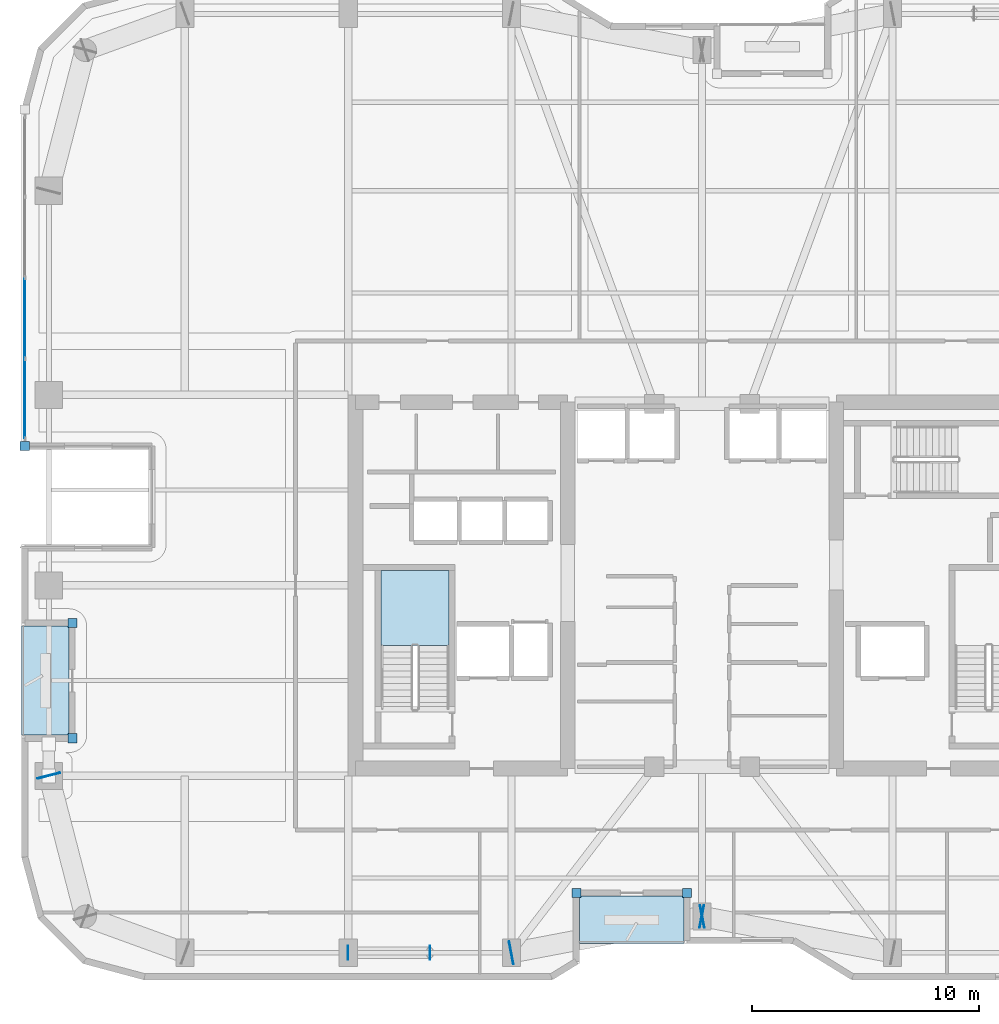
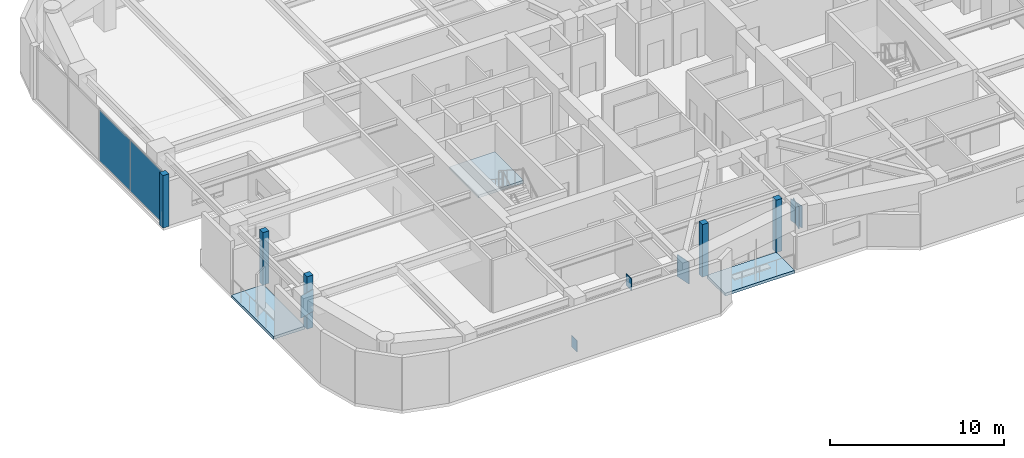
# One storey, part 17 of 26: 13 plates, 3 slabs, 2 elements without a shape of their own.
"""IFC4 building model written with IfcOpenShell, lengths in metres."""

from ifc_helpers import new_model, si_unit, direction, frame, origin, origin_2d, place, context, subcontext, project, spatial, polyline, rectangle, outline, extrude, material, layer, layer_set, type_object, element, aggregate, save


model = new_model("IFC4")

# Units and contexts
model_context = context("Model", 3, precision=1e-05, world=origin(), true_north=direction((0.0, 1.0)))
body_context = subcontext(model_context, "Body", "Model", "MODEL_VIEW")
ifc_project = project(units=[si_unit("LENGTHUNIT", "METRE"), si_unit("AREAUNIT", "SQUARE_METRE"), si_unit("VOLUMEUNIT", "CUBIC_METRE"), si_unit("PLANEANGLEUNIT", "RADIAN"), si_unit("MASSUNIT", "GRAM", prefix="KILO")], contexts=[model_context])

# Site, building, storey
site_placement = place(None, origin())
site = spatial("IfcSite", under=ifc_project, at=site_placement, CompositionType="ELEMENT")
building_placement = place(site_placement, origin())
building = spatial("IfcBuilding", under=site, at=building_placement, Name="Kiyonajd Concourse Tower", CompositionType="ELEMENT")
storey_placement = place(building_placement, frame((0.0, 0.0, 186.300048828125)))
storey = spatial("IfcBuildingStorey", under=building, at=storey_placement, Name="L47", CompositionType="ELEMENT", Elevation=186.300048828125)

# Plates
ifc_material_1 = material(Name="Steel ASTM A572 Grade 50", Category="steel")
ifc_layer_1 = layer(ifc_material_1, 0.028076171875)
ifc_layer_set_1 = layer_set([ifc_layer_1], Name="Steel ASTM A572 Grade 50")
plate_type_1 = type_object("IfcPlateType", Name="PL-CAP-450", PredefinedType="USERDEFINED", material=ifc_layer_set_1)
for number, where, z_axis, x_axis, name in (
    (1, (32.3916015625, 19.800048828125, -0.10888671875), (0.0, 0.0, 1.0), (-1.0, 0.0, 0.0), "L47 Hollow Brace End Cap Plate PBS"),
    (2, (36.00830078125, 19.800048828125, 2.93505859375), (0.0, 0.0, 1.0), (1.0, 0.0, 0.0), "L47 Hollow Brace Top Cap Plate PBS"),
):
    element("IfcPlate", number, at=place(storey_placement, frame(where, z_axis=z_axis, x_axis=x_axis)), inside=storey, type_object=plate_type_1, Name=name, ObjectType="CAP PLATE", PredefinedType="USERDEFINED", context=body_context, shape_type="SweptSolid", body=[
        extrude(rectangle(XDim=0.035888671875, YDim=0.6279296875, at=origin_2d()), origin(), (0.0, 0.0, 1.0), 0.803955078125),
    ])
ifc_layer_2 = layer(ifc_material_1, 0.031982421875)
ifc_layer_set_2 = layer_set([ifc_layer_2], Name="Steel ASTM A572 Grade 50")
plate_type_2 = type_object("IfcPlateType", Name="PL-CAP-540", PredefinedType="USERDEFINED", material=ifc_layer_set_2)
for number, where, z_axis, x_axis, name in (
    (3, (19.197265625, 27.610595703125, 2.2099609375), (0.0, 0.0, 1.0), (-0.249873048837, 0.968278606324, 0.0), "L47 Welded Box Girder End Cap"),
    (4, (39.589111328125, 19.7978515625, 2.2099609375), (0.0, 0.0, 1.0), (-0.982352599301, -0.187038420242, 0.0), "L47 Welded Box Girder End Cap"),
    (5, (48.0107421875, 21.402099609375, 2.2099609375), (0.0, 0.0, 1.0), (0.982352599301, 0.187038420242, 0.0), "L47 Welded Box Girder End Cap"),
    (6, (47.9892578125, 21.402099609375, 2.2099609375), (0.0, 0.0, 1.0), (-0.982352599301, 0.187038420242, 0.0), "L47 Welded Box Girder End Cap"),
):
    element("IfcPlate", number, at=place(storey_placement, frame(where, z_axis=z_axis, x_axis=x_axis)), inside=storey, type_object=plate_type_2, Name=name, ObjectType="CAP PLATE", PredefinedType="USERDEFINED", context=body_context, shape_type="SweptSolid", body=[
        extrude(rectangle(XDim=0.035888671875, YDim=1.02001953125, at=origin_2d()), origin(), (0.0, 0.0, 1.0), 1.5400390625),
    ])

# Curtain wall, plates
ifc_material_2 = material(Name="Thermally Broken Anodised Aluminium", Category="aluminium")
ifc_layer_3 = layer(ifc_material_2, 0.179931640625)
ifc_layer_set_3 = layer_set([ifc_layer_3], Name="Thermally Broken Anodised Aluminium")
curtain_wall_type = type_object("IfcCurtainWallType", Name="CW-SYS-03", PredefinedType="NOTDEFINED", material=ifc_layer_set_3)
curtain_wall_placement = place(storey_placement, origin())
curtain_wall = element("IfcCurtainWall", 7, at=curtain_wall_placement, inside=storey, type_object=curtain_wall_type, Name="L47 Unitised Curtain Wall CW3", PredefinedType="NOTDEFINED")
ifc_material_3 = material(Name="Double Low-E Insulated Glass", Category="glass")
ifc_layer_4 = layer(ifc_material_3, 0.033935546875)
ifc_layer_set_4 = layer_set([ifc_layer_4], Name="Double Low-E Insulated Glass")
plate_type_3 = type_object("IfcPlateType", Name="PL-CW-VIS34", PredefinedType="CURTAIN_PANEL", material=ifc_layer_set_4)
plate_1_placement = place(storey_placement, frame((18.139892578125, 44.22900390625, 0.06494140625), z_axis=(0.0, 0.0, 1.0), x_axis=(0.0, 1.0, 0.0)))
plate_1 = element("IfcPlate", 8, at=plate_1_placement, type_object=plate_type_3, Name="CW3 panel 1.1", PredefinedType="CURTAIN_PANEL", context=body_context, shape_type="SweptSolid", body=[
    extrude(rectangle(XDim=3.468017578125, YDim=0.033935546875, at=origin_2d()), origin(), (0.0, 0.0, 1.0), 3.550048828125),
])
plate_2_placement = place(storey_placement, frame((18.139892578125, 47.778076171875, 0.06494140625), z_axis=(0.0, 0.0, 1.0), x_axis=(0.0, 1.0, 0.0)))
plate_2 = element("IfcPlate", 9, at=plate_2_placement, type_object=plate_type_3, Name="CW3 panel 2.1", PredefinedType="CURTAIN_PANEL", context=body_context, shape_type="SweptSolid", body=[
    extrude(rectangle(XDim=3.50048828125, YDim=0.033935546875, at=origin_2d()), origin(), (0.0, 0.0, 1.0), 3.550048828125),
])
aggregate(curtain_wall, [plate_1, plate_2])

# Plates
ifc_layer_5 = layer(ifc_material_2, 0.39990234375)
ifc_layer_set_5 = layer_set([ifc_layer_5], Name="Thermally Broken Anodised Aluminium")
plate_type_4 = type_object("IfcPlateType", Name="PL-JMB-400", PredefinedType="USERDEFINED", material=ifc_layer_set_5)
for number, where, z_axis, x_axis, name in (
    (10, (20.239990234375, 29.260009765625, 0.0), (0.0, 0.0, 1.0), (1.0, 0.0, 0.0), "L47 Facade Jamb Closure Plate 01"),
    (11, (20.239990234375, 34.340087890625, 0.0), (0.0, 0.0, 1.0), (1.0, 0.0, 0.0), "L47 Facade Jamb Closure Plate 02"),
    (12, (18.139892578125, 42.139892578125, 0.0), (0.0, 0.0, 1.0), (1.0, 0.0, 0.0), "L47 Facade Jamb Closure Plate 03"),
    (13, (47.340087890625, 22.43994140625, 0.0), (0.0, 0.0, 1.0), (1.0, 0.0, 0.0), "L47 Facade Jamb Closure Plate 13"),
    (14, (42.4599609375, 22.43994140625, 0.0), (0.0, 0.0, 1.0), (1.0, 0.0, 0.0), "L47 Facade Jamb Closure Plate 14"),
):
    element("IfcPlate", number, at=place(storey_placement, frame(where, z_axis=z_axis, x_axis=x_axis)), inside=storey, type_object=plate_type_4, Name=name, ObjectType="JAMB PLATE", PredefinedType="USERDEFINED", context=body_context, shape_type="SweptSolid", body=[
        extrude(rectangle(XDim=0.39990234375, YDim=0.39990234375, at=origin_2d()), origin(), (0.0, 0.0, 1.0), 3.679931640625),
    ])

# Stair, slab
ifc_material_4 = material(Name="Concrete C40/50", Category="concrete")
stair_type = type_object("IfcStairType", Name="ST-DLG-22R", PredefinedType="HALF_TURN_STAIR", material=ifc_material_4)
stair_placement = place(storey_placement, origin())
stair = element("IfcStair", 15, at=stair_placement, inside=storey, type_object=stair_type, Name="L47 Protected Exit Stair ST1", PredefinedType="HALF_TURN_STAIR")
ifc_layer_6 = layer(ifc_material_4, 0.199951171875)
ifc_layer_set_6 = layer_set([ifc_layer_6], Name="Concrete C40/50")
slab_type_1 = type_object("IfcSlabType", Name="SL-LND-200", PredefinedType="LANDING", material=ifc_layer_set_6)
slab_1_placement = place(storey_placement, frame((0.0, 0.0, 1.75)))
slab_1 = element("IfcSlab", 16, at=slab_1_placement, type_object=slab_type_1, Name="ST1 landing 1", PredefinedType="LANDING", context=body_context, shape_type="SweptSolid", body=[
    extrude(outline(polyline([(36.85009765625, 33.35009765625), (36.85009765625, 36.64990234375), (33.85009765625, 36.64990234375), (33.85009765625, 33.35009765625), (36.85009765625, 33.35009765625)])), origin(), (0.0, 0.0, 1.0), 0.199951171875),
])
aggregate(stair, [slab_1])

# Slabs
ifc_material_5 = material(Name="Precast concrete C50/60", Category="concrete")
ifc_layer_7 = layer(ifc_material_5, 0.199951171875)
ifc_layer_set_7 = layer_set([ifc_layer_7], Name="Precast concrete C50/60")
slab_type_2 = type_object("IfcSlabType", Name="SL-LOG-200", PredefinedType="FLOOR", material=ifc_layer_set_7)
slab_2_placement = place(storey_placement, frame((0.0, 0.0, -0.199951171875)))
element("IfcSlab", 17, at=slab_2_placement, inside=storey, type_object=slab_type_2, Name="L47 Recessed Engawa Loggia Terrace Slab LOG-S", PredefinedType="FLOOR", context=body_context, shape_type="SweptSolid", body=[
    extrude(outline(polyline([(42.60009765625, 20.199951171875), (47.199951171875, 20.199951171875), (47.199951171875, 22.300048828125), (42.60009765625, 22.300048828125), (42.60009765625, 20.199951171875)])), origin(), (0.0, 0.0, 1.0), 0.199951171875),
])
slab_3_placement = place(storey_placement, frame((0.0, 0.0, -0.199951171875)))
element("IfcSlab", 18, at=slab_3_placement, inside=storey, type_object=slab_type_2, Name="L47 Recessed Engawa Loggia Terrace Slab LOG-W", PredefinedType="FLOOR", context=body_context, shape_type="SweptSolid", body=[
    extrude(outline(polyline([(18.0, 29.39990234375), (20.10009765625, 29.39990234375), (20.10009765625, 34.199951171875), (18.0, 34.199951171875), (18.0, 29.39990234375)])), origin(), (0.0, 0.0, 1.0), 0.199951171875),
])

save(model, "model.ifc")
